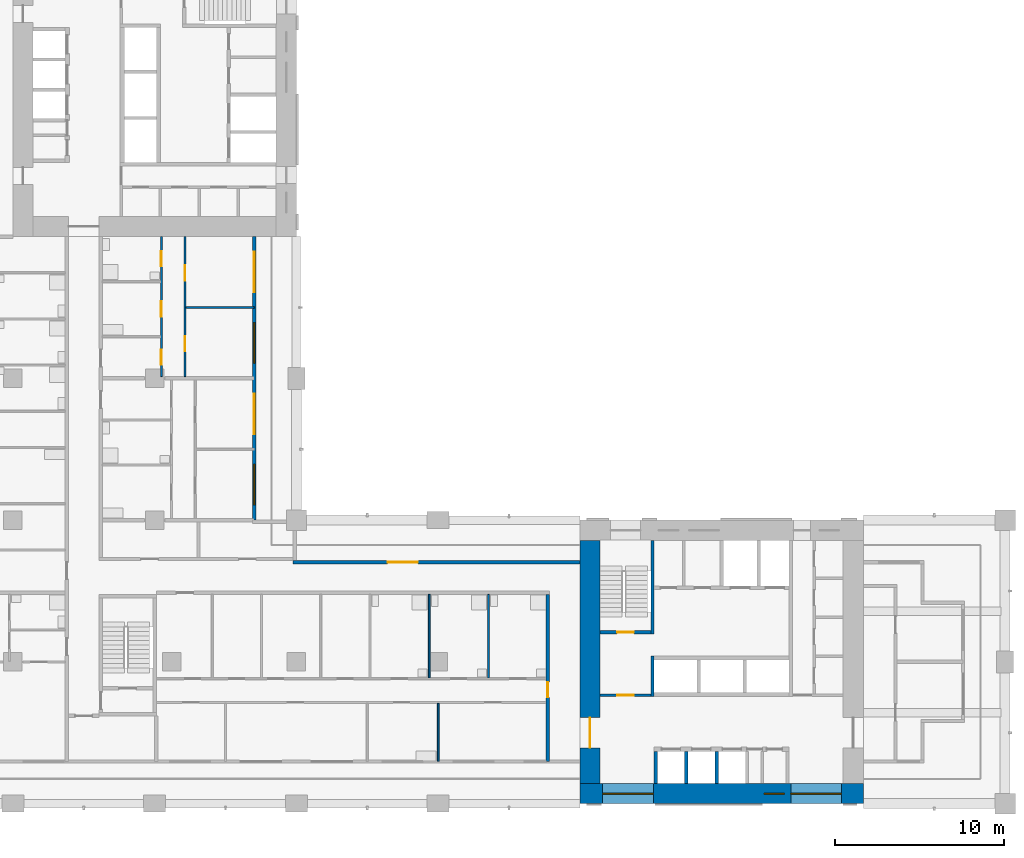
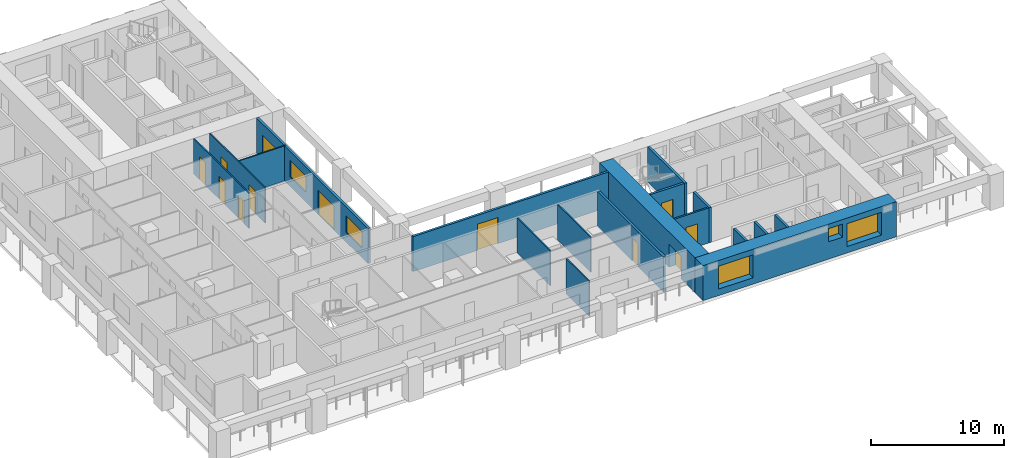
# One storey, part 5 of 17: 18 walls, 12 doors, 5 windows, 17 openings.
"""IFC4 building model written with IfcOpenShell, lengths in metres."""

from ifc_helpers import new_model, si_unit, direction, frame, frame_2d, origin, place, context, subcontext, project, spatial, rectangle, extrude, material, layer, layer_set, type_object, element, fill, save


model = new_model("IFC4")

# Units and contexts
model_context = context("Model", 3, precision=1e-05, world=origin(), true_north=direction((0.0, 1.0)))
body_context = subcontext(model_context, "Body", "Model", "MODEL_VIEW")
ifc_project = project(units=[si_unit("LENGTHUNIT", "METRE"), si_unit("AREAUNIT", "SQUARE_METRE"), si_unit("VOLUMEUNIT", "CUBIC_METRE"), si_unit("PLANEANGLEUNIT", "RADIAN"), si_unit("MASSUNIT", "GRAM", prefix="KILO")], contexts=[model_context])

# Site, building, storey
site_placement = place(None, origin())
site = spatial("IfcSite", under=ifc_project, at=site_placement, CompositionType="ELEMENT")
building_placement = place(site_placement, origin())
building = spatial("IfcBuilding", under=site, at=building_placement, Name="Vermilion Gate Residences", CompositionType="ELEMENT")
storey_placement = place(building_placement, frame((0.0, 0.0, 98.699951171875)))
storey = spatial("IfcBuildingStorey", under=building, at=storey_placement, Name="L24", CompositionType="ELEMENT", Elevation=98.699951171875)

# Wall, opening, door
ifc_material_1 = material(Name="Masonry blockwork", Category="masonry")
ifc_layer_1 = layer(ifc_material_1, 0.14990234375)
ifc_layer_set_1 = layer_set([ifc_layer_1], Name="BLOCKWORK PARTITION 150 EI 120")
wall_type_1 = type_object("IfcWallType", Name="BLOCKWORK PARTITION 150 EI 120", PredefinedType="PARTITIONING", material=ifc_layer_set_1)
wall_1_placement = place(storey_placement, frame((43.199951171875, 14.824951171875, 0.0), z_axis=(0.0, 0.0, 1.0), x_axis=(1.0, 0.0, 0.0)))
wall_1 = element("IfcWall", 1, at=wall_1_placement, inside=storey, type_object=wall_type_1, Name="Core room partition A24-VW-S", PredefinedType="PARTITIONING", context=body_context, shape_type="SweptSolid", body=[
    extrude(rectangle(XDim=3.0, YDim=0.14990234375, at=frame_2d((1.5, 0.0))), origin(), (0.0, 0.0, 1.0), 3.219970703125),
])
opening_1_placement = place(wall_1_placement, frame((1.0, 0.0, 0.0)))
opening_1 = element("IfcOpeningElement", 2, at=opening_1_placement, cuts=wall_1, Name="Opening DK24012", PredefinedType="OPENING", context=body_context, shape_type="SweptSolid", body=[
    extrude(rectangle(XDim=1.0, YDim=2.10009765625, at=frame_2d((0.5, 1.050048828125))), frame((0.0, 0.0849609375, 0.0), z_axis=(0.0, -1.0, 0.0), x_axis=(1.0, 0.0, 0.0)), (0.0, 0.0, 1.0), 0.169921875),
])
ifc_material_2 = material(Name="Steel", Category="steel")
door_type_1 = type_object("IfcDoorType", Name="FIRE DOOR FD60 1000 X 2100", OperationType="SINGLE_SWING_LEFT", PredefinedType="DOOR", material=ifc_material_2)
door_1_placement = place(opening_1_placement, frame((1.0, 0.0, 0.0), z_axis=(0.0, 0.0, 1.0), x_axis=(-1.0, 0.0, 0.0)))
door_1 = element("IfcDoor", 3, at=door_1_placement, inside=storey, type_object=door_type_1, Name="Stair vestibule door A24", OperationType="SINGLE_SWING_RIGHT", OverallHeight=2.10009765625, OverallWidth=1.0, PredefinedType="DOOR", context=body_context, shape_type="SweptSolid", body=[
    extrude(rectangle(XDim=1.0, YDim=2.10009765625, at=frame_2d((0.5, 1.050048828125))), frame((0.0, 0.02490234375, 0.0), z_axis=(0.0, -1.0, 0.0), x_axis=(1.0, 0.0, 0.0)), (0.0, 0.0, 1.0), 0.050048828125),
])
fill(opening_1, door_1)

ifc_material_3 = material(Name="Insulated steel stud wall with terracotta rainscreen", Category="masonry")
ifc_layer_2 = layer(ifc_material_3, 0.199951171875)
ifc_layer_set_2 = layer_set([ifc_layer_2], Name="EXTERNAL WALL 200 TERRACOTTA RAINSCREEN")
wall_type_2 = type_object("IfcWallType", Name="EXTERNAL WALL 200 TERRACOTTA RAINSCREEN", PredefinedType="SOLIDWALL", material=ifc_layer_set_2)
wall_2_placement = place(storey_placement, frame((42.0, 22.699951171875, 0.0), z_axis=(0.0, 0.0, 1.0), x_axis=(-1.0, 0.0, 0.0)))
wall_2 = element("IfcWall", 4, at=wall_2_placement, inside=storey, type_object=wall_type_2, Name="External wall", PredefinedType="SOLIDWALL", context=body_context, shape_type="SweptSolid", body=[
    extrude(rectangle(XDim=17.0, YDim=0.199951171875, at=frame_2d((8.5, 0.0))), origin(), (0.0, 0.0, 1.0), 3.219970703125),
])
opening_2_placement = place(wall_2_placement, frame((9.60009765625, 0.0, 0.0)))
opening_2 = element("IfcOpeningElement", 5, at=opening_2_placement, cuts=wall_2, Name="Opening DE24029", PredefinedType="OPENING", context=body_context, shape_type="SweptSolid", body=[
    extrude(rectangle(XDim=1.800048828125, YDim=2.39990234375, at=frame_2d((0.89990234375, 1.199951171875))), frame((0.0, 0.10986328125, 0.0), z_axis=(0.0, -1.0, 0.0), x_axis=(1.0, 0.0, 0.0)), (0.0, 0.0, 1.0), 0.219970703125),
])
ifc_material_4 = material(Name="Aluminium and clear glass", Category="aluminium")
door_type_2 = type_object("IfcDoorType", Name="GLAZED EXTERNAL DOOR 1800 X 2400", OperationType="DOUBLE_DOOR_SINGLE_SWING", PredefinedType="DOOR", material=ifc_material_4)
door_2_placement = place(opening_2_placement, frame((1.800048828125, 0.0, 0.0), z_axis=(0.0, 0.0, 1.0), x_axis=(-1.0, 0.0, 0.0)))
door_2 = element("IfcDoor", 6, at=door_2_placement, inside=storey, type_object=door_type_2, Name="Gallery door", OperationType="DOUBLE_DOOR_SINGLE_SWING", OverallHeight=2.39990234375, OverallWidth=1.800048828125, PredefinedType="DOOR", context=body_context, shape_type="SweptSolid", body=[
    extrude(rectangle(XDim=1.800048828125, YDim=2.39990234375, at=frame_2d((0.89990234375, 1.199951171875))), frame((0.0, 0.02490234375, 0.0), z_axis=(0.0, -1.0, 0.0), x_axis=(1.0, 0.0, 0.0)), (0.0, 0.0, 1.0), 0.050048828125),
])
fill(opening_2, door_2)

# Wall, openings, doors, windows
wall_3_placement = place(storey_placement, frame((22.699951171875, 25.199951171875, 0.0), z_axis=(0.0, 0.0, 1.0), x_axis=(0.0, 1.0, 0.0)))
wall_3 = element("IfcWall", 7, at=wall_3_placement, inside=storey, type_object=wall_type_2, Name="External wall", PredefinedType="SOLIDWALL", context=body_context, shape_type="SweptSolid", body=[
    extrude(rectangle(XDim=16.800048828125, YDim=0.199951171875, at=frame_2d((8.39990234375, 0.0))), origin(), (0.0, 0.0, 1.0), 3.219970703125),
])
opening_3_placement = place(wall_3_placement, frame((0.89990234375, 0.0, 0.89990234375)))
opening_3 = element("IfcOpeningElement", 8, at=opening_3_placement, cuts=wall_3, Name="Opening WE24024", PredefinedType="OPENING", context=body_context, shape_type="SweptSolid", body=[
    extrude(rectangle(XDim=2.39990234375, YDim=1.5, at=frame_2d((1.199951171875, 0.75))), frame((0.0, 0.10986328125, 0.0), z_axis=(0.0, -1.0, 0.0), x_axis=(1.0, 0.0, 0.0)), (0.0, 0.0, 1.0), 0.219970703125),
])
opening_4_placement = place(wall_3_placement, frame((5.10009765625, 0.0, 0.0)))
opening_4 = element("IfcOpeningElement", 9, at=opening_4_placement, cuts=wall_3, Name="Opening DE24025", PredefinedType="OPENING", context=body_context, shape_type="SweptSolid", body=[
    extrude(rectangle(XDim=2.39990234375, YDim=2.199951171875, at=frame_2d((1.199951171875, 1.10009765625))), frame((0.0, 0.10986328125, 0.0), z_axis=(0.0, -1.0, 0.0), x_axis=(1.0, 0.0, 0.0)), (0.0, 0.0, 1.0), 0.219970703125),
])
opening_5_placement = place(wall_3_placement, frame((9.300048828125, 0.0, 0.89990234375)))
opening_5 = element("IfcOpeningElement", 10, at=opening_5_placement, cuts=wall_3, Name="Opening WE24026", PredefinedType="OPENING", context=body_context, shape_type="SweptSolid", body=[
    extrude(rectangle(XDim=2.39990234375, YDim=1.5, at=frame_2d((1.199951171875, 0.75))), frame((0.0, 0.10986328125, 0.0), z_axis=(0.0, -1.0, 0.0), x_axis=(1.0, 0.0, 0.0)), (0.0, 0.0, 1.0), 0.219970703125),
])
opening_6_placement = place(wall_3_placement, frame((13.5, 0.0, 0.0)))
opening_6 = element("IfcOpeningElement", 11, at=opening_6_placement, cuts=wall_3, Name="Opening DE24027", PredefinedType="OPENING", context=body_context, shape_type="SweptSolid", body=[
    extrude(rectangle(XDim=2.39990234375, YDim=2.199951171875, at=frame_2d((1.199951171875, 1.10009765625))), frame((0.0, 0.10986328125, 0.0), z_axis=(0.0, -1.0, 0.0), x_axis=(1.0, 0.0, 0.0)), (0.0, 0.0, 1.0), 0.219970703125),
])
ifc_material_5 = material(Name="Aluminium and clear glass", Category="aluminium")
door_type_3 = type_object("IfcDoorType", Name="SLIDING GLAZED DOOR 2400 X 2200", OperationType="DOUBLE_DOOR_SLIDING", PredefinedType="DOOR", material=ifc_material_5)
door_3_placement = place(opening_4_placement, origin())
door_3 = element("IfcDoor", 12, at=door_3_placement, inside=storey, type_object=door_type_3, Name="Loggia sliding door", OperationType="DOUBLE_DOOR_SLIDING", OverallHeight=2.199951171875, OverallWidth=2.39990234375, PredefinedType="DOOR", context=body_context, shape_type="SweptSolid", body=[
    extrude(rectangle(XDim=2.39990234375, YDim=2.199951171875, at=frame_2d((1.199951171875, 1.10009765625))), frame((0.0, 0.02490234375, 0.0), z_axis=(0.0, -1.0, 0.0), x_axis=(1.0, 0.0, 0.0)), (0.0, 0.0, 1.0), 0.050048828125),
])
fill(opening_4, door_3)
door_4_placement = place(opening_6_placement, origin())
door_4 = element("IfcDoor", 13, at=door_4_placement, inside=storey, type_object=door_type_3, Name="Loggia sliding door", OperationType="DOUBLE_DOOR_SLIDING", OverallHeight=2.199951171875, OverallWidth=2.39990234375, PredefinedType="DOOR", context=body_context, shape_type="SweptSolid", body=[
    extrude(rectangle(XDim=2.39990234375, YDim=2.199951171875, at=frame_2d((1.199951171875, 1.10009765625))), frame((0.0, 0.02490234375, 0.0), z_axis=(0.0, -1.0, 0.0), x_axis=(1.0, 0.0, 0.0)), (0.0, 0.0, 1.0), 0.050048828125),
])
fill(opening_6, door_4)
ifc_material_6 = material(Name="Aluminium and clear glass", Category="aluminium")
window_type_1 = type_object("IfcWindowType", Name="WINDOW 2400 X 1500", PartitioningType="SINGLE_PANEL", PredefinedType="WINDOW", material=ifc_material_6)
window_1_placement = place(opening_3_placement, origin())
window_1 = element("IfcWindow", 14, at=window_1_placement, inside=storey, type_object=window_type_1, Name="Window", OverallHeight=1.5, OverallWidth=2.39990234375, PartitioningType="SINGLE_PANEL", PredefinedType="WINDOW", context=body_context, shape_type="SweptSolid", body=[
    extrude(rectangle(XDim=2.39990234375, YDim=1.5, at=frame_2d((1.199951171875, 0.75))), frame((0.0, 0.030029296875, 0.0), z_axis=(0.0, -1.0, 0.0), x_axis=(1.0, 0.0, 0.0)), (0.0, 0.0, 1.0), 0.06005859375),
])
fill(opening_3, window_1)
window_2_placement = place(opening_5_placement, origin())
window_2 = element("IfcWindow", 15, at=window_2_placement, inside=storey, type_object=window_type_1, Name="Window", OverallHeight=1.5, OverallWidth=2.39990234375, PartitioningType="SINGLE_PANEL", PredefinedType="WINDOW", context=body_context, shape_type="SweptSolid", body=[
    extrude(rectangle(XDim=2.39990234375, YDim=1.5, at=frame_2d((1.199951171875, 0.75))), frame((0.0, 0.030029296875, 0.0), z_axis=(0.0, -1.0, 0.0), x_axis=(1.0, 0.0, 0.0)), (0.0, 0.0, 1.0), 0.06005859375),
])
fill(opening_5, window_2)

# Wall
ifc_material_7 = material(Name="Plasterboard on steel studs", Category="steel")
ifc_layer_3 = layer(ifc_material_7, 0.10009765625)
ifc_layer_set_3 = layer_set([ifc_layer_3], Name="PARTITION 100")
wall_type_3 = type_object("IfcWallType", Name="PARTITION 100", PredefinedType="PARTITIONING", material=ifc_layer_set_3)
wall_4_placement = place(storey_placement, frame((18.64990234375, 37.800048828125, 0.0), z_axis=(0.0, 0.0, 1.0), x_axis=(1.0, 0.0, 0.0)))
element("IfcWall", 16, at=wall_4_placement, inside=storey, type_object=wall_type_3, Name="Partition", PredefinedType="PARTITIONING", context=body_context, shape_type="SweptSolid", body=[
    extrude(rectangle(XDim=4.050048828125, YDim=0.10009765625, at=frame_2d((2.02490234375, 0.0))), origin(), (0.0, 0.0, 1.0), 3.219970703125),
])

# Wall, openings, doors
wall_5_placement = place(storey_placement, frame((17.199951171875, 33.699951171875, 0.0), z_axis=(0.0, 0.0, 1.0), x_axis=(0.0, 1.0, 0.0)))
wall_5 = element("IfcWall", 17, at=wall_5_placement, inside=storey, type_object=wall_type_3, Name="Partition", PredefinedType="PARTITIONING", context=body_context, shape_type="SweptSolid", body=[
    extrude(rectangle(XDim=8.300048828125, YDim=0.10009765625, at=frame_2d((4.14990234375, 0.0))), origin(), (0.0, 0.0, 1.0), 3.219970703125),
])
opening_7_placement = place(wall_5_placement, frame((0.699951171875, 0.0, 0.0)))
opening_7 = element("IfcOpeningElement", 18, at=opening_7_placement, cuts=wall_5, Name="Opening DA22040", PredefinedType="OPENING", context=body_context, shape_type="SweptSolid", body=[
    extrude(rectangle(XDim=0.89990234375, YDim=2.10009765625, at=frame_2d((0.449951171875, 1.050048828125))), frame((0.0, 0.06005859375, 0.0), z_axis=(0.0, -1.0, 0.0), x_axis=(1.0, 0.0, 0.0)), (0.0, 0.0, 1.0), 0.1201171875),
])
opening_8_placement = place(wall_5_placement, frame((3.56689453125, 0.0, 0.0)))
opening_8 = element("IfcOpeningElement", 19, at=opening_8_placement, cuts=wall_5, Name="Opening DA22041", PredefinedType="OPENING", context=body_context, shape_type="SweptSolid", body=[
    extrude(rectangle(XDim=0.89990234375, YDim=2.10009765625, at=frame_2d((0.449951171875, 1.050048828125))), frame((0.0, 0.06005859375, 0.0), z_axis=(0.0, -1.0, 0.0), x_axis=(1.0, 0.0, 0.0)), (0.0, 0.0, 1.0), 0.1201171875),
])
opening_9_placement = place(wall_5_placement, frame((6.532958984375, 0.0, 0.0)))
opening_9 = element("IfcOpeningElement", 20, at=opening_9_placement, cuts=wall_5, Name="Opening DA22042", PredefinedType="OPENING", context=body_context, shape_type="SweptSolid", body=[
    extrude(rectangle(XDim=0.89990234375, YDim=2.10009765625, at=frame_2d((0.449951171875, 1.050048828125))), frame((0.0, 0.06005859375, 0.0), z_axis=(0.0, -1.0, 0.0), x_axis=(1.0, 0.0, 0.0)), (0.0, 0.0, 1.0), 0.1201171875),
])
ifc_material_8 = material(Name="Timber", Category="wood")
door_type_4 = type_object("IfcDoorType", Name="INTERIOR DOOR 900 X 2100", OperationType="SINGLE_SWING_LEFT", PredefinedType="DOOR", material=ifc_material_8)
door_5_placement = place(opening_7_placement, origin())
door_5 = element("IfcDoor", 21, at=door_5_placement, inside=storey, type_object=door_type_4, Name="Interior door", OperationType="SINGLE_SWING_LEFT", OverallHeight=2.10009765625, OverallWidth=0.89990234375, PredefinedType="DOOR", context=body_context, shape_type="SweptSolid", body=[
    extrude(rectangle(XDim=0.89990234375, YDim=2.10009765625, at=frame_2d((0.449951171875, 1.050048828125))), frame((0.0, 0.02490234375, 0.0), z_axis=(0.0, -1.0, 0.0), x_axis=(1.0, 0.0, 0.0)), (0.0, 0.0, 1.0), 0.050048828125),
])
fill(opening_7, door_5)
door_6_placement = place(opening_8_placement, origin())
door_6 = element("IfcDoor", 22, at=door_6_placement, inside=storey, type_object=door_type_4, Name="Interior door", OperationType="SINGLE_SWING_RIGHT", OverallHeight=2.10009765625, OverallWidth=0.89990234375, PredefinedType="DOOR", context=body_context, shape_type="SweptSolid", body=[
    extrude(rectangle(XDim=0.89990234375, YDim=2.10009765625, at=frame_2d((0.449951171875, 1.050048828125))), frame((0.0, 0.02490234375, 0.0), z_axis=(0.0, -1.0, 0.0), x_axis=(1.0, 0.0, 0.0)), (0.0, 0.0, 1.0), 0.050048828125),
])
fill(opening_8, door_6)
door_7_placement = place(opening_9_placement, origin())
door_7 = element("IfcDoor", 23, at=door_7_placement, inside=storey, type_object=door_type_4, Name="Interior door", OperationType="SINGLE_SWING_LEFT", OverallHeight=2.10009765625, OverallWidth=0.89990234375, PredefinedType="DOOR", context=body_context, shape_type="SweptSolid", body=[
    extrude(rectangle(XDim=0.89990234375, YDim=2.10009765625, at=frame_2d((0.449951171875, 1.050048828125))), frame((0.0, 0.02490234375, 0.0), z_axis=(0.0, -1.0, 0.0), x_axis=(1.0, 0.0, 0.0)), (0.0, 0.0, 1.0), 0.050048828125),
])
fill(opening_9, door_7)

wall_6_placement = place(storey_placement, frame((18.60009765625, 33.699951171875, 0.0), z_axis=(0.0, 0.0, 1.0), x_axis=(0.0, 1.0, 0.0)))
wall_6 = element("IfcWall", 24, at=wall_6_placement, inside=storey, type_object=wall_type_3, Name="Partition", PredefinedType="PARTITIONING", context=body_context, shape_type="SweptSolid", body=[
    extrude(rectangle(XDim=8.300048828125, YDim=0.10009765625, at=frame_2d((4.14990234375, 0.0))), origin(), (0.0, 0.0, 1.0), 3.219970703125),
])
opening_10_placement = place(wall_6_placement, frame((1.5, 0.0, 0.0)))
opening_10 = element("IfcOpeningElement", 25, at=opening_10_placement, cuts=wall_6, Name="Opening DA22046", PredefinedType="OPENING", context=body_context, shape_type="SweptSolid", body=[
    extrude(rectangle(XDim=0.89990234375, YDim=2.10009765625, at=frame_2d((0.449951171875, 1.050048828125))), frame((0.0, 0.06005859375, 0.0), z_axis=(0.0, -1.0, 0.0), x_axis=(1.0, 0.0, 0.0)), (0.0, 0.0, 1.0), 0.1201171875),
])
opening_11_placement = place(wall_6_placement, frame((5.699951171875, 0.0, 0.0)))
opening_11 = element("IfcOpeningElement", 26, at=opening_11_placement, cuts=wall_6, Name="Opening DA22047", PredefinedType="OPENING", context=body_context, shape_type="SweptSolid", body=[
    extrude(rectangle(XDim=0.89990234375, YDim=2.10009765625, at=frame_2d((0.449951171875, 1.050048828125))), frame((0.0, 0.06005859375, 0.0), z_axis=(0.0, -1.0, 0.0), x_axis=(1.0, 0.0, 0.0)), (0.0, 0.0, 1.0), 0.1201171875),
])
door_8_placement = place(opening_10_placement, frame((0.89990234375, 0.0, 0.0), z_axis=(0.0, 0.0, 1.0), x_axis=(-1.0, 0.0, 0.0)))
door_8 = element("IfcDoor", 27, at=door_8_placement, inside=storey, type_object=door_type_4, Name="Interior door", OperationType="SINGLE_SWING_RIGHT", OverallHeight=2.10009765625, OverallWidth=0.89990234375, PredefinedType="DOOR", context=body_context, shape_type="SweptSolid", body=[
    extrude(rectangle(XDim=0.89990234375, YDim=2.10009765625, at=frame_2d((0.449951171875, 1.050048828125))), frame((0.0, 0.02490234375, 0.0), z_axis=(0.0, -1.0, 0.0), x_axis=(1.0, 0.0, 0.0)), (0.0, 0.0, 1.0), 0.050048828125),
])
fill(opening_10, door_8)
door_9_placement = place(opening_11_placement, frame((0.89990234375, 0.0, 0.0), z_axis=(0.0, 0.0, 1.0), x_axis=(-1.0, 0.0, 0.0)))
door_9 = element("IfcDoor", 28, at=door_9_placement, inside=storey, type_object=door_type_4, Name="Interior door", OperationType="SINGLE_SWING_RIGHT", OverallHeight=2.10009765625, OverallWidth=0.89990234375, PredefinedType="DOOR", context=body_context, shape_type="SweptSolid", body=[
    extrude(rectangle(XDim=0.89990234375, YDim=2.10009765625, at=frame_2d((0.449951171875, 1.050048828125))), frame((0.0, 0.02490234375, 0.0), z_axis=(0.0, -1.0, 0.0), x_axis=(1.0, 0.0, 0.0)), (0.0, 0.0, 1.0), 0.050048828125),
])
fill(opening_11, door_9)

# Walls
wall_7_placement = place(storey_placement, frame((33.072021484375, 15.85009765625, 0.0), z_axis=(0.0, 0.0, 1.0), x_axis=(0.0, 1.0, 0.0)))
element("IfcWall", 29, at=wall_7_placement, inside=storey, type_object=wall_type_3, Name="Partition", PredefinedType="PARTITIONING", context=body_context, shape_type="SweptSolid", body=[
    extrude(rectangle(XDim=4.949951171875, YDim=0.10009765625, at=frame_2d((2.47509765625, 0.0))), origin(), (0.0, 0.0, 1.0), 3.219970703125),
])
wall_8_placement = place(storey_placement, frame((33.60009765625, 10.89990234375, 0.0), z_axis=(0.0, 0.0, 1.0), x_axis=(0.0, 1.0, 0.0)))
element("IfcWall", 30, at=wall_8_placement, inside=storey, type_object=wall_type_3, Name="Partition", PredefinedType="PARTITIONING", context=body_context, shape_type="SweptSolid", body=[
    extrude(rectangle(XDim=3.4501953125, YDim=0.10009765625, at=frame_2d((1.72509765625, 0.0))), origin(), (0.0, 0.0, 1.0), 3.219970703125),
])
wall_9_placement = place(storey_placement, frame((36.5859375, 15.85009765625, 0.0), z_axis=(0.0, 0.0, 1.0), x_axis=(0.0, 1.0, 0.0)))
element("IfcWall", 31, at=wall_9_placement, inside=storey, type_object=wall_type_3, Name="Partition", PredefinedType="PARTITIONING", context=body_context, shape_type="SweptSolid", body=[
    extrude(rectangle(XDim=4.949951171875, YDim=0.10009765625, at=frame_2d((2.47509765625, 0.0))), origin(), (0.0, 0.0, 1.0), 3.219970703125),
])

# Wall, opening, door
ifc_material_9 = material(Name="Fire-rated plasterboard on steel studs", Category="steel")
ifc_layer_4 = layer(ifc_material_9, 0.199951171875)
ifc_layer_set_4 = layer_set([ifc_layer_4], Name="PARTY WALL 200 EI 120")
wall_type_4 = type_object("IfcWallType", Name="PARTY WALL 200 EI 120", PredefinedType="PARTITIONING", material=ifc_layer_set_4)
wall_10_placement = place(storey_placement, frame((40.10009765625, 10.89990234375, 0.0), z_axis=(0.0, 0.0, 1.0), x_axis=(0.0, 1.0, 0.0)))
wall_10 = element("IfcWall", 32, at=wall_10_placement, inside=storey, type_object=wall_type_4, Name="Party and corridor wall", PredefinedType="PARTITIONING", context=body_context, shape_type="SweptSolid", body=[
    extrude(rectangle(XDim=9.900146484375, YDim=0.199951171875, at=frame_2d((4.9501953125, 0.0))), origin(), (0.0, 0.0, 1.0), 3.219970703125),
])
opening_12_placement = place(wall_10_placement, frame((3.800048828125, 0.0, 0.0)))
opening_12 = element("IfcOpeningElement", 33, at=opening_12_placement, cuts=wall_10, Name="Opening DA22050", PredefinedType="OPENING", context=body_context, shape_type="SweptSolid", body=[
    extrude(rectangle(XDim=0.89990234375, YDim=2.10009765625, at=frame_2d((0.449951171875, 1.050048828125))), frame((0.0, 0.10986328125, 0.0), z_axis=(0.0, -1.0, 0.0), x_axis=(1.0, 0.0, 0.0)), (0.0, 0.0, 1.0), 0.219970703125),
])
door_10_placement = place(opening_12_placement, origin())
door_10 = element("IfcDoor", 34, at=door_10_placement, inside=storey, type_object=door_type_4, Name="Interior door", OperationType="SINGLE_SWING_RIGHT", OverallHeight=2.10009765625, OverallWidth=0.89990234375, PredefinedType="DOOR", context=body_context, shape_type="SweptSolid", body=[
    extrude(rectangle(XDim=0.89990234375, YDim=2.10009765625, at=frame_2d((0.449951171875, 1.050048828125))), frame((0.0, 0.02490234375, 0.0), z_axis=(0.0, -1.0, 0.0), x_axis=(1.0, 0.0, 0.0)), (0.0, 0.0, 1.0), 0.050048828125),
])
fill(opening_12, door_10)

# Walls
ifc_material_10 = material(Name="Concrete C60", Category="concrete")
ifc_layer_5 = layer(ifc_material_10, 0.199951171875)
ifc_layer_set_5 = layer_set([ifc_layer_5], Name="RC CORE INTERNAL WALL 200 C60")
wall_type_5 = type_object("IfcWallType", Name="RC CORE INTERNAL WALL 200 C60", PredefinedType="SHEAR", material=ifc_layer_set_5)
for number, where, z_axis, x_axis, name in (
    (35, (46.5, 9.60009765625, 0.0), (0.0, 0.0, 1.0), (0.0, 1.0, 0.0), "Core internal wall A24-LR-D0"),
    (36, (48.300048828125, 9.60009765625, 0.0), (0.0, 0.0, 1.0), (0.0, 1.0, 0.0), "Core internal wall A24-LR-D1"),
    (37, (50.10009765625, 9.60009765625, 0.0), (0.0, 0.0, 1.0), (0.0, 1.0, 0.0), "Core internal wall A24-LR-D2"),
):
    element("IfcWall", number, at=place(storey_placement, frame(where, z_axis=z_axis, x_axis=x_axis)), inside=storey, type_object=wall_type_5, Name=name, PredefinedType="SHEAR", context=body_context, shape_type="SweptSolid", body=[
        extrude(rectangle(XDim=1.89990234375, YDim=0.199951171875, at=frame_2d((0.949951171875, 0.0))), origin(), (0.0, 0.0, 1.0), 3.219970703125),
    ])
wall_11_placement = place(storey_placement, frame((46.300048828125, 14.75, 0.0), z_axis=(0.0, 0.0, 1.0), x_axis=(0.0, 1.0, 0.0)))
element("IfcWall", 38, at=wall_11_placement, inside=storey, type_object=wall_type_5, Name="Core internal wall A24-WDIV1", PredefinedType="SHEAR", context=body_context, shape_type="SweptSolid", body=[
    extrude(rectangle(XDim=2.39990234375, YDim=0.199951171875, at=frame_2d((1.199951171875, 0.0))), origin(), (0.0, 0.0, 1.0), 3.219970703125),
])
wall_12_placement = place(storey_placement, frame((46.300048828125, 18.449951171875, 0.0), z_axis=(0.0, 0.0, 1.0), x_axis=(0.0, 1.0, 0.0)))
element("IfcWall", 39, at=wall_12_placement, inside=storey, type_object=wall_type_5, Name="Core internal wall A24-WDIV2", PredefinedType="SHEAR", context=body_context, shape_type="SweptSolid", body=[
    extrude(rectangle(XDim=5.550048828125, YDim=0.199951171875, at=frame_2d((2.77490234375, 0.0))), origin(), (0.0, 0.0, 1.0), 3.219970703125),
])

# Wall, opening, door
wall_13_placement = place(storey_placement, frame((43.199951171875, 18.550048828125, 0.0), z_axis=(0.0, 0.0, 1.0), x_axis=(1.0, 0.0, 0.0)))
wall_13 = element("IfcWall", 40, at=wall_13_placement, inside=storey, type_object=wall_type_5, Name="Core internal wall A24-STW-S", PredefinedType="SHEAR", context=body_context, shape_type="SweptSolid", body=[
    extrude(rectangle(XDim=3.0, YDim=0.199951171875, at=frame_2d((1.5, 0.0))), origin(), (0.0, 0.0, 1.0), 3.219970703125),
])
opening_13_placement = place(wall_13_placement, frame((1.0, 0.0, 0.0)))
opening_13 = element("IfcOpeningElement", 41, at=opening_13_placement, cuts=wall_13, Name="Opening DK24013", PredefinedType="OPENING", context=body_context, shape_type="SweptSolid", body=[
    extrude(rectangle(XDim=1.0, YDim=2.10009765625, at=frame_2d((0.5, 1.050048828125))), frame((0.0, 0.10986328125, 0.0), z_axis=(0.0, -1.0, 0.0), x_axis=(1.0, 0.0, 0.0)), (0.0, 0.0, 1.0), 0.219970703125),
])
door_11_placement = place(opening_13_placement, origin())
door_11 = element("IfcDoor", 42, at=door_11_placement, inside=storey, type_object=door_type_1, Name="Stair door A24", OperationType="SINGLE_SWING_LEFT", OverallHeight=2.10009765625, OverallWidth=1.0, PredefinedType="DOOR", context=body_context, shape_type="SweptSolid", body=[
    extrude(rectangle(XDim=1.0, YDim=2.10009765625, at=frame_2d((0.5, 1.050048828125))), frame((0.0, 0.02490234375, 0.0), z_axis=(0.0, -1.0, 0.0), x_axis=(1.0, 0.0, 0.0)), (0.0, 0.0, 1.0), 0.050048828125),
])
fill(opening_13, door_11)

ifc_material_11 = material(Name="Concrete C70", Category="concrete")
ifc_layer_6 = layer(ifc_material_11, 1.199951171875)
ifc_layer_set_6 = layer_set([ifc_layer_6], Name="RC CORE WALL 1200 C70")
wall_type_6 = type_object("IfcWallType", Name="RC CORE WALL 1200 C70", PredefinedType="SHEAR", material=ifc_layer_set_6)
wall_14_placement = place(storey_placement, frame((42.60009765625, 9.60009765625, 0.0), z_axis=(0.0, 0.0, 1.0), x_axis=(0.0, 1.0, 0.0)))
wall_14 = element("IfcWall", 43, at=wall_14_placement, inside=storey, type_object=wall_type_6, Name="Core wall A24-OUT-FR", PredefinedType="SHEAR", context=body_context, shape_type="SweptSolid", body=[
    extrude(rectangle(XDim=14.39990234375, YDim=1.199951171875, at=frame_2d((7.199951171875, 0.0))), origin(), (0.0, 0.0, 1.0), 3.219970703125),
])
opening_14_placement = place(wall_14_placement, frame((2.10009765625, 0.0, 0.0)))
opening_14 = element("IfcOpeningElement", 44, at=opening_14_placement, cuts=wall_14, Name="Opening DK24001", PredefinedType="OPENING", context=body_context, shape_type="SweptSolid", body=[
    extrude(rectangle(XDim=1.800048828125, YDim=2.10009765625, at=frame_2d((0.89990234375, 1.050048828125))), frame((0.0, 0.60986328125, 0.0), z_axis=(0.0, -1.0, 0.0), x_axis=(1.0, 0.0, 0.0)), (0.0, 0.0, 1.0), 1.219970703125),
])
ifc_material_12 = material(Name="Steel", Category="steel")
door_type_5 = type_object("IfcDoorType", Name="CORE LOBBY DOOR FD60 1800 X 2100", OperationType="DOUBLE_DOOR_SINGLE_SWING", PredefinedType="DOOR", material=ifc_material_12)
door_12_placement = place(opening_14_placement, frame((1.800048828125, 0.0, 0.0), z_axis=(0.0, 0.0, 1.0), x_axis=(-1.0, 0.0, 0.0)))
door_12 = element("IfcDoor", 45, at=door_12_placement, inside=storey, type_object=door_type_5, Name="Core lobby door A24", OperationType="DOUBLE_DOOR_SINGLE_SWING", OverallHeight=2.10009765625, OverallWidth=1.800048828125, PredefinedType="DOOR", context=body_context, shape_type="SweptSolid", body=[
    extrude(rectangle(XDim=1.800048828125, YDim=2.10009765625, at=frame_2d((0.89990234375, 1.050048828125))), frame((0.0, 0.02490234375, 0.0), z_axis=(0.0, -1.0, 0.0), x_axis=(1.0, 0.0, 0.0)), (0.0, 0.0, 1.0), 0.050048828125),
])
fill(opening_14, door_12)

# Wall, openings, windows
ifc_material_13 = material(Name="Concrete C70 red-oxide pigmented", Category="concrete")
ifc_layer_7 = layer(ifc_material_13, 1.199951171875)
ifc_layer_set_7 = layer_set([ifc_layer_7], Name="RC CORE WALL 1200 C70 RED OXIDE")
wall_type_7 = type_object("IfcWallType", Name="RC CORE WALL 1200 C70 RED OXIDE", PredefinedType="SHEAR", material=ifc_layer_set_7)
wall_15_placement = place(storey_placement, frame((42.0, 9.0, 0.0), z_axis=(0.0, 0.0, 1.0), x_axis=(1.0, 0.0, 0.0)))
wall_15 = element("IfcWall", 46, at=wall_15_placement, inside=storey, type_object=wall_type_7, Name="Core wall A24-OUT-B0", PredefinedType="SHEAR", context=body_context, shape_type="SweptSolid", body=[
    extrude(rectangle(XDim=16.800048828125, YDim=1.199951171875, at=frame_2d((8.39990234375, 0.0))), origin(), (0.0, 0.0, 1.0), 3.219970703125),
])
opening_15_placement = place(wall_15_placement, frame((1.35009765625, 0.0, 0.60009765625)))
opening_15 = element("IfcOpeningElement", 47, at=opening_15_placement, cuts=wall_15, Name="Opening WKA2401", PredefinedType="OPENING", context=body_context, shape_type="SweptSolid", body=[
    extrude(rectangle(XDim=3.0, YDim=2.10009765625, at=frame_2d((1.5, 1.050048828125))), frame((0.0, 0.60986328125, 0.0), z_axis=(0.0, -1.0, 0.0), x_axis=(1.0, 0.0, 0.0)), (0.0, 0.0, 1.0), 1.219970703125),
])
opening_16_placement = place(wall_15_placement, frame((10.91748046875, 0.0, 1.60009765625)))
opening_16 = element("IfcOpeningElement", 48, at=opening_16_placement, cuts=wall_15, Name="Opening WKA2402", PredefinedType="OPENING", context=body_context, shape_type="SweptSolid", body=[
    extrude(rectangle(XDim=1.199951171875, YDim=1.199951171875, at=frame_2d((0.60009765625, 0.60009765625))), frame((0.0, 0.60986328125, 0.0), z_axis=(0.0, -1.0, 0.0), x_axis=(1.0, 0.0, 0.0)), (0.0, 0.0, 1.0), 1.219970703125),
])
opening_17_placement = place(wall_15_placement, frame((12.5, 0.0, 0.60009765625)))
opening_17 = element("IfcOpeningElement", 49, at=opening_17_placement, cuts=wall_15, Name="Opening WKA2403", PredefinedType="OPENING", context=body_context, shape_type="SweptSolid", body=[
    extrude(rectangle(XDim=3.0, YDim=2.10009765625, at=frame_2d((1.5, 1.050048828125))), frame((0.0, 0.60986328125, 0.0), z_axis=(0.0, -1.0, 0.0), x_axis=(1.0, 0.0, 0.0)), (0.0, 0.0, 1.0), 1.219970703125),
])
ifc_material_14 = material(Name="Aluminium and clear glass", Category="aluminium")
window_type_2 = type_object("IfcWindowType", Name="CORE LOBBY WINDOW 3000 X 2100", PartitioningType="SINGLE_PANEL", PredefinedType="WINDOW", material=ifc_material_14)
window_3_placement = place(opening_15_placement, origin())
window_3 = element("IfcWindow", 50, at=window_3_placement, inside=storey, type_object=window_type_2, Name="Core lobby window", OverallHeight=2.10009765625, OverallWidth=3.0, PartitioningType="SINGLE_PANEL", PredefinedType="WINDOW", context=body_context, shape_type="SweptSolid", body=[
    extrude(rectangle(XDim=3.0, YDim=2.10009765625, at=frame_2d((1.5, 1.050048828125))), frame((0.0, 0.030029296875, 0.0), z_axis=(0.0, -1.0, 0.0), x_axis=(1.0, 0.0, 0.0)), (0.0, 0.0, 1.0), 0.06005859375),
])
fill(opening_15, window_3)
window_4_placement = place(opening_17_placement, origin())
window_4 = element("IfcWindow", 51, at=window_4_placement, inside=storey, type_object=window_type_2, Name="Core lobby window", OverallHeight=2.10009765625, OverallWidth=3.0, PartitioningType="SINGLE_PANEL", PredefinedType="WINDOW", context=body_context, shape_type="SweptSolid", body=[
    extrude(rectangle(XDim=3.0, YDim=2.10009765625, at=frame_2d((1.5, 1.050048828125))), frame((0.0, 0.030029296875, 0.0), z_axis=(0.0, -1.0, 0.0), x_axis=(1.0, 0.0, 0.0)), (0.0, 0.0, 1.0), 0.06005859375),
])
fill(opening_17, window_4)
ifc_material_15 = material(Name="Aluminium frame with louvre blades", Category="aluminium")
window_type_3 = type_object("IfcWindowType", Name="CORE LOUVRE 1200 X 1200", PartitioningType="SINGLE_PANEL", PredefinedType="WINDOW", material=ifc_material_15)
window_5_placement = place(opening_16_placement, origin())
window_5 = element("IfcWindow", 52, at=window_5_placement, inside=storey, type_object=window_type_3, Name="Core louvre", OverallHeight=1.199951171875, OverallWidth=1.199951171875, PartitioningType="SINGLE_PANEL", PredefinedType="WINDOW", context=body_context, shape_type="SweptSolid", body=[
    extrude(rectangle(XDim=1.199951171875, YDim=1.199951171875, at=frame_2d((0.60009765625, 0.60009765625))), frame((0.0, 0.030029296875, 0.0), z_axis=(0.0, -1.0, 0.0), x_axis=(1.0, 0.0, 0.0)), (0.0, 0.0, 1.0), 0.06005859375),
])
fill(opening_16, window_5)

save(model, "model.ifc")
